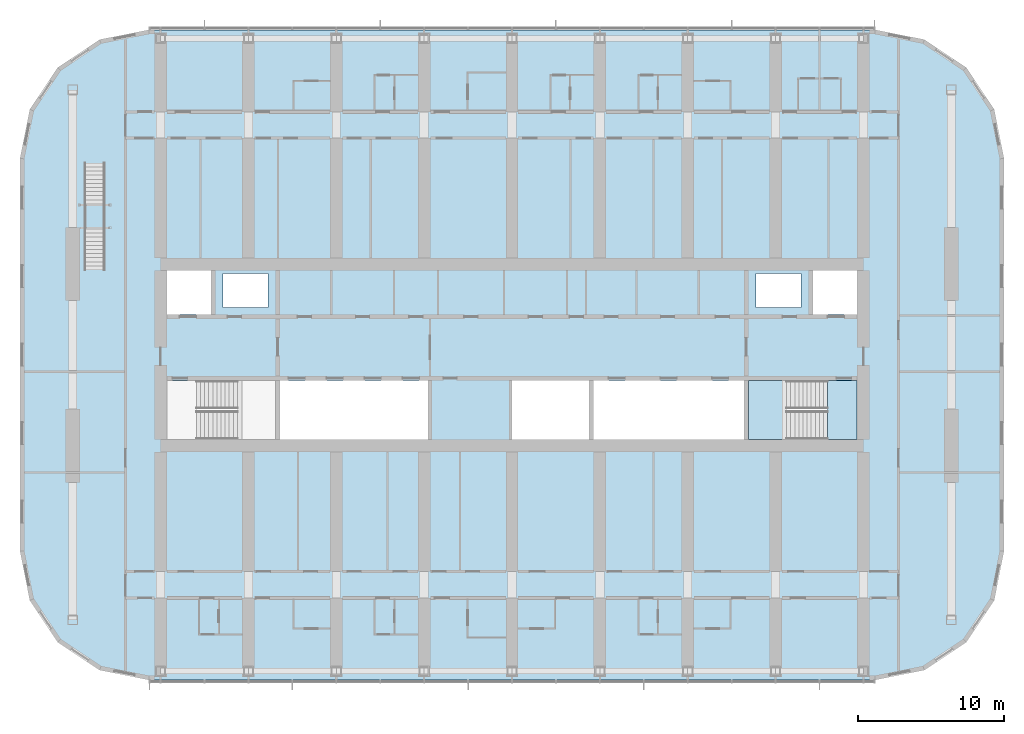
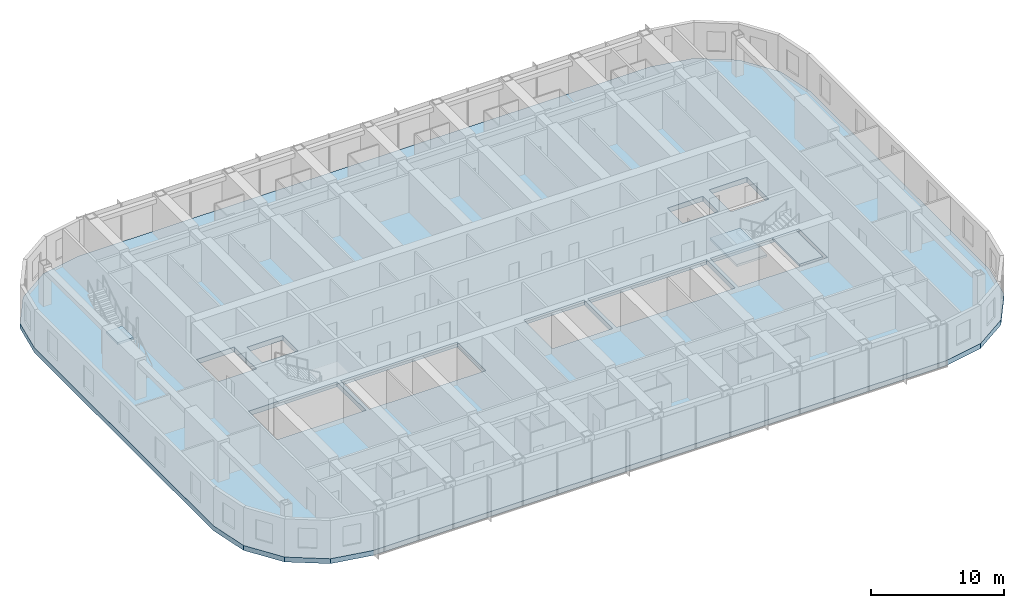
# One storey, part 12 of 29: 4 slabs, 2 elements without a shape of their own.
"""IFC4 building model written with IfcOpenShell, lengths in metres."""

import ifcopenshell
import ifcopenshell.guid

model = None  # the IFC model being written
_history = None  # IfcOwnerHistory: only IFC2X3 demands one
_inside = {}  # id of a spatial element -> (the spatial element, [elements in it])
_under = {}  # id of a project, library or spatial element -> (it, [spatial elements below it])
_declared = {}  # id of a project -> (the project, [libraries it declares])
_typed = {}  # id of a type object -> (the type object, [elements of that type])
_made_of = {}  # id of a material, layer set ... -> (it, [elements and type objects made of it])


def new_model(schema):
    """Start an empty IFC model of exactly this schema.

    Asked for "IFC4X3", IfcOpenShell would pick the latest addendum, in which some entities
    have other attributes; the version numbers below select the first issue.
    IFC2X3 requires an IfcOwnerHistory on every rooted entity: one is made here for all.
    """
    global model, _history
    if schema == "IFC4X3":
        model = ifcopenshell.file(schema_version=(4, 3, 0, 0))
    else:
        model = ifcopenshell.file(schema=schema)
    _inside.clear()
    _under.clear()
    _declared.clear()
    _typed.clear()
    _made_of.clear()
    _history = None
    if model.schema == "IFC2X3":
        org = make("IfcOrganization", Name="unknown")
        user = make(
            "IfcPersonAndOrganization",
            ThePerson=make("IfcPerson", FamilyName="unknown"),
            TheOrganization=org,
        )
        app = make(
            "IfcApplication",
            ApplicationDeveloper=org,
            Version="unknown",
            ApplicationFullName="unknown",
            ApplicationIdentifier="unknown",
        )
        _history = make(
            "IfcOwnerHistory",
            OwningUser=user,
            OwningApplication=app,
            ChangeAction="ADDED",
            CreationDate=0,
        )
    return model


def make(cls, **values):
    """One entity of the class cls with the attributes given. An attribute that is None is left unset."""
    return model.create_entity(
        cls, **{name: value for name, value in values.items() if value is not None}
    )


def rooted(cls, **values):
    """An entity with a GlobalId (a new one), such as an element, a storey or a relation."""
    return make(cls, GlobalId=ifcopenshell.guid.new(), OwnerHistory=_history, **values)


def si_unit(unit_type, name, prefix=None):
    """IfcSIUnit, for example si_unit("LENGTHUNIT", "METRE", prefix="MILLI")."""
    return make("IfcSIUnit", UnitType=unit_type, Prefix=prefix, Name=name)


def assignment(units):
    """IfcUnitAssignment: the units of a project."""
    return None if units is None else make("IfcUnitAssignment", Units=units)


def point(xyz):
    """IfcCartesianPoint."""
    return None if xyz is None else make("IfcCartesianPoint", Coordinates=xyz)


def direction(xyz):
    """IfcDirection."""
    return None if xyz is None else make("IfcDirection", DirectionRatios=xyz)


def frame(location, z_axis=None, x_axis=None):
    """IfcAxis2Placement3D, a coordinate frame: its origin and axes. An axis left out is left unset."""
    return make(
        "IfcAxis2Placement3D",
        Location=point(location),
        Axis=direction(z_axis),
        RefDirection=direction(x_axis),
    )


def origin():
    """The frame at (0, 0, 0) with its axes left unset."""
    return frame((0.0, 0.0, 0.0))


def place(relative_to, where):
    """IfcLocalPlacement: puts the frame where relative to a parent placement (None: the world)."""
    return make(
        "IfcLocalPlacement", PlacementRelTo=relative_to, RelativePlacement=where
    )


def context(
    kind, dimensions, precision=None, world=None, true_north=None, identifier=None
):
    """IfcGeometricRepresentationContext, for example the 3D "Model" context."""
    return make(
        "IfcGeometricRepresentationContext",
        ContextIdentifier=identifier,
        ContextType=kind,
        CoordinateSpaceDimension=dimensions,
        Precision=precision,
        WorldCoordinateSystem=world,
        TrueNorth=true_north,
    )


def subcontext(parent, identifier, kind, view, scale=None):
    """IfcGeometricRepresentationSubContext, for example "Body" below "Model"."""
    return make(
        "IfcGeometricRepresentationSubContext",
        ContextIdentifier=identifier,
        ContextType=kind,
        ParentContext=parent,
        TargetScale=scale,
        TargetView=view,
    )


def project(units=None, contexts=None):
    """IfcProject with its units and contexts."""
    return rooted(
        "IfcProject",
        Name="project",
        RepresentationContexts=contexts,
        UnitsInContext=assignment(units),
    )


def spatial(cls, under=None, at=None, **own):
    """A site, building, storey or space (cls), placed at a placement, below another one or the project."""
    s = rooted(cls, ObjectPlacement=at, **own)
    if under is not None:
        _under.setdefault(under.id(), (under, []))[1].append(s)
    return s


def polyline(points):
    """IfcPolyline through the points."""
    return make("IfcPolyline", Points=[point(p) for p in points])


def outline(outer, holes=None, kind="AREA"):
    """IfcArbitraryClosedProfileDef: a profile drawn as a closed curve; with holes, ...WithVoids."""
    if holes is None:
        return make("IfcArbitraryClosedProfileDef", ProfileType=kind, OuterCurve=outer)
    return make(
        "IfcArbitraryProfileDefWithVoids",
        ProfileType=kind,
        OuterCurve=outer,
        InnerCurves=holes,
    )


def extrude(swept, where, along, depth):
    """IfcExtrudedAreaSolid: the profile swept, set in the frame where, extruded along a direction by depth."""
    return make(
        "IfcExtrudedAreaSolid",
        SweptArea=swept,
        Position=where,
        ExtrudedDirection=direction(along),
        Depth=depth,
    )


def shape(context_of_items, identifier, shape_type, items):
    """IfcShapeRepresentation: the items that make up one representation, for example the "Body"."""
    return make(
        "IfcShapeRepresentation",
        ContextOfItems=context_of_items,
        RepresentationIdentifier=identifier,
        RepresentationType=shape_type,
        Items=items,
    )


def material(Name=None, Category=None):
    """IfcMaterial."""
    return make("IfcMaterial", Name=Name, Category=Category)


def layer(
    of_material, thickness, ventilated=None, Name=None, Category=None, Priority=None
):
    """IfcMaterialLayer: one layer of a wall or slab, of a material (None: an air gap)."""
    return make(
        "IfcMaterialLayer",
        Material=of_material,
        LayerThickness=thickness,
        IsVentilated=ventilated,
        Name=Name,
        Category=Category,
        Priority=Priority,
    )


def layer_set(layers, Name=None):
    """IfcMaterialLayerSet."""
    return make("IfcMaterialLayerSet", MaterialLayers=layers, LayerSetName=Name)


def made_of(thing, what):
    """Note that an element or type object is made of a material, layer set ...; save() writes the relation."""
    if what is not None:
        _made_of.setdefault(what.id(), (what, []))[1].append(thing)
    return thing


def type_object(cls, material=None, **own):
    """A type object (cls), such as IfcWallType, which elements share."""
    return made_of(rooted(cls, **own), material)


def element(
    cls,
    number,
    at=None,
    inside=None,
    cuts=None,
    type_object=None,
    material=None,
    context=None,
    identifier="Body",
    shape_type=None,
    held_by="IfcProductDefinitionShape",
    body=None,
    shapes=None,
    **own,
):
    """One element of the class cls, such as IfcWall. Its Tag is "e" and its number.

    at: its placement. inside: the storey or other place that contains it. cuts: it is an
    opening in that element (IfcRelVoidsElement). A single representation is given by context,
    identifier, shape_type and body (its items); several are given by shapes. held_by: the class
    of the entity that holds the representations. save() writes the other relations.
    """
    e = rooted(cls, Tag="e%d" % number, ObjectPlacement=at, **own)
    if body is not None:
        shapes = [shape(context, identifier, shape_type, body)]
    if shapes is not None:
        e.Representation = make(held_by, Representations=shapes)
    if inside is not None:
        _inside.setdefault(inside.id(), (inside, []))[1].append(e)
    if cuts is not None:
        rooted(
            "IfcRelVoidsElement", RelatingBuildingElement=cuts, RelatedOpeningElement=e
        )
    if type_object is not None:
        _typed.setdefault(type_object.id(), (type_object, []))[1].append(e)
    return made_of(e, material)


def aggregate(whole, parts):
    """IfcRelAggregates: a whole, such as a stair, and the parts it consists of."""
    return rooted("IfcRelAggregates", RelatingObject=whole, RelatedObjects=parts)


def save(model, path):
    """Write the relations noted so far, then the file.

    IfcRelAggregates (storeys below a building ...), IfcRelContainedInSpatialStructure (elements
    in a storey), IfcRelDefinesByType, IfcRelAssociatesMaterial and IfcRelDeclares: one each for
    every whole, place, type object, material and project.
    """
    for whole, parts in _under.values():
        aggregate(whole, parts)
    for where, things in _inside.values():
        rooted(
            "IfcRelContainedInSpatialStructure",
            RelatedElements=things,
            RelatingStructure=where,
        )
    for kind, things in _typed.values():
        rooted("IfcRelDefinesByType", RelatedObjects=things, RelatingType=kind)
    for what, things in _made_of.values():
        rooted("IfcRelAssociatesMaterial", RelatedObjects=things, RelatingMaterial=what)
    for by, libraries in _declared.values():
        rooted("IfcRelDeclares", RelatingContext=by, RelatedDefinitions=libraries)
    model.write(path)


model = new_model("IFC4")

# Units and contexts
model_context = context("Model", 3, precision=1e-05, world=origin(), true_north=direction((0.0, 1.0)))
body_context = subcontext(model_context, "Body", "Model", "MODEL_VIEW")
ifc_project = project(units=[si_unit("LENGTHUNIT", "METRE"), si_unit("AREAUNIT", "SQUARE_METRE"), si_unit("VOLUMEUNIT", "CUBIC_METRE"), si_unit("PLANEANGLEUNIT", "RADIAN"), si_unit("MASSUNIT", "GRAM", prefix="KILO")], contexts=[model_context])

# Site, building, storey
site_placement = place(None, origin())
site = spatial("IfcSite", under=ifc_project, at=site_placement, CompositionType="ELEMENT")
building_placement = place(site_placement, origin())
building = spatial("IfcBuilding", under=site, at=building_placement, Name="Orbita Commons", CompositionType="ELEMENT")
storey_placement = place(building_placement, frame((0.0, 0.0, 163.60009765625)))
storey = spatial("IfcBuildingStorey", under=building, at=storey_placement, Name="L40", CompositionType="ELEMENT", Elevation=163.60009765625)

# Stair, slab
ifc_material_1 = material(Name="Steel ASTM A992 stringers, precast concrete C40/50 terrazzo treads", Category="concrete")
stair_type_1 = type_object("IfcStairType", Name="Feature stair 22 risers 170 x 280 x 1400", PredefinedType="STRAIGHT_RUN_STAIR", material=ifc_material_1)
stair_1_placement = place(storey_placement, origin())
stair_1 = element("IfcStair", 1, at=stair_1_placement, inside=storey, type_object=stair_type_1, Name="Neighbourhood stair L40 to L41", PredefinedType="STRAIGHT_RUN_STAIR")
ifc_material_2 = material(Name="Concrete C40/50", Category="concrete")
ifc_layer_1 = layer(ifc_material_2, 0.199951171875)
ifc_layer_set_1 = layer_set([ifc_layer_1], Name="Concrete C40/50")
slab_type_1 = type_object("IfcSlabType", Name="Feature stair landing 200", PredefinedType="LANDING", material=ifc_layer_set_1)
slab_1_placement = place(storey_placement, frame((0.0, 0.0, 1.6748046875)))
slab_1 = element("IfcSlab", 2, at=slab_1_placement, type_object=slab_type_1, Name="FS landing 1", PredefinedType="LANDING", context=body_context, shape_type="SweptSolid", body=[
    extrude(outline(polyline([(12.800048828125, 40.60009765625), (14.199951171875, 40.60009765625), (14.199951171875, 42.31005859375), (12.800048828125, 42.31005859375), (12.800048828125, 40.60009765625)])), origin(), (0.0, 0.0, 1.0), 0.2001953125),
])
aggregate(stair_1, [slab_1])

# Slab
ifc_material_3 = material(Name="Concrete C40/50", Category="concrete")
ifc_layer_2 = layer(ifc_material_3, 0.449951171875)
ifc_layer_set_2 = layer_set([ifc_layer_2], Name="Concrete C40/50")
slab_type_2 = type_object("IfcSlabType", Name="Floor slab 450", PredefinedType="FLOOR", material=ifc_layer_set_2)
slab_2_placement = place(storey_placement, frame((0.0, 0.0, -0.4501953125)))
element("IfcSlab", 3, at=slab_2_placement, inside=storey, type_object=slab_type_2, Name="Floor slab L40", PredefinedType="FLOOR", context=body_context, shape_type="SweptSolid", body=[
    extrude(outline(polyline([(66.800048828125, 9.800048828125), (70.167724609375, 10.469970703125), (73.0224609375, 12.37744140625), (74.93017578125, 15.232421875), (75.60009765625, 18.60009765625), (75.60009765625, 45.39990234375), (74.93017578125, 48.767578125), (73.0224609375, 51.62255859375), (70.167724609375, 53.530029296875), (66.800048828125, 54.199951171875), (17.199951171875, 54.199951171875), (13.832275390625, 53.530029296875), (10.9775390625, 51.62255859375), (9.06982421875, 48.767578125), (8.39990234375, 45.39990234375), (8.39990234375, 18.60009765625), (9.06982421875, 15.232421875), (10.9775390625, 12.37744140625), (13.832275390625, 10.469970703125), (17.199951171875, 9.800048828125), (66.800048828125, 9.800048828125)]), holes=[polyline([(18.14990234375, 25.949951171875), (25.85009765625, 25.949951171875), (25.85009765625, 30.25), (18.14990234375, 30.25), (18.14990234375, 25.949951171875)]), polyline([(58.14990234375, 25.949951171875), (65.85009765625, 25.949951171875), (65.85009765625, 30.25), (58.14990234375, 30.25), (58.14990234375, 25.949951171875)]), polyline([(18.14990234375, 34.75), (21.449951171875, 34.75), (21.449951171875, 38.050048828125), (18.14990234375, 38.050048828125), (18.14990234375, 34.75)]), polyline([(62.550048828125, 34.75), (65.85009765625, 34.75), (65.85009765625, 38.050048828125), (62.550048828125, 38.050048828125), (62.550048828125, 34.75)]), polyline([(22.25, 35.25), (25.35009765625, 35.25), (25.35009765625, 37.550048828125), (22.25, 37.550048828125), (22.25, 35.25)]), polyline([(58.64990234375, 35.25), (61.75, 35.25), (61.75, 37.550048828125), (58.64990234375, 37.550048828125), (58.64990234375, 35.25)]), polyline([(26.14990234375, 25.949951171875), (36.25, 25.949951171875), (36.25, 30.25), (26.14990234375, 30.25), (26.14990234375, 25.949951171875)]), polyline([(42.0, 25.949951171875), (47.25, 25.949951171875), (47.25, 30.25), (42.0, 30.25), (42.0, 25.949951171875)]), polyline([(47.550048828125, 25.949951171875), (57.85009765625, 25.949951171875), (57.85009765625, 30.25), (47.550048828125, 30.25), (47.550048828125, 25.949951171875)])]), origin(), (0.0, 0.0, 1.0), 0.4501953125),
])

# Stair, slabs
ifc_material_4 = material(Name="Precast concrete C40/50", Category="concrete")
stair_type_2 = type_object("IfcStairType", Name="Exit stair S2 2 flights 11 risers 170", PredefinedType="HALF_TURN_STAIR", material=ifc_material_4)
stair_2_placement = place(storey_placement, origin())
stair_2 = element("IfcStair", 4, at=stair_2_placement, inside=storey, type_object=stair_type_2, Name="Exit stair S2 L40", PredefinedType="HALF_TURN_STAIR")
ifc_material_5 = material(Name="Concrete C40/50", Category="concrete")
ifc_layer_3 = layer(ifc_material_5, 0.199951171875)
ifc_layer_set_3 = layer_set([ifc_layer_3], Name="Concrete C40/50")
slab_type_3 = type_object("IfcSlabType", Name="Stair landing 200", PredefinedType="LANDING", material=ifc_layer_set_3)
slab_3_placement = place(storey_placement, frame((0.0, 0.0, -0.2001953125)))
slab_3 = element("IfcSlab", 5, at=slab_3_placement, type_object=slab_type_3, Name="S2 landing 1", PredefinedType="LANDING", context=body_context, shape_type="SweptSolid", body=[
    extrude(outline(polyline([(63.550048828125, 26.22509765625), (65.574951171875, 26.22509765625), (65.574951171875, 30.25), (63.550048828125, 30.25), (63.550048828125, 26.22509765625)])), origin(), (0.0, 0.0, 1.0), 0.2001953125),
])
slab_4_placement = place(storey_placement, frame((0.0, 0.0, 1.6748046875)))
slab_4 = element("IfcSlab", 6, at=slab_4_placement, type_object=slab_type_3, Name="S2 landing 2", PredefinedType="LANDING", context=body_context, shape_type="SweptSolid", body=[
    extrude(outline(polyline([(58.135009765625, 26.2099609375), (60.75, 26.2099609375), (60.75, 30.264892578125), (58.135009765625, 30.264892578125), (58.135009765625, 26.2099609375)])), origin(), (0.0, 0.0, 1.0), 0.2001953125),
])
aggregate(stair_2, [slab_3, slab_4])

save(model, "model.ifc")
